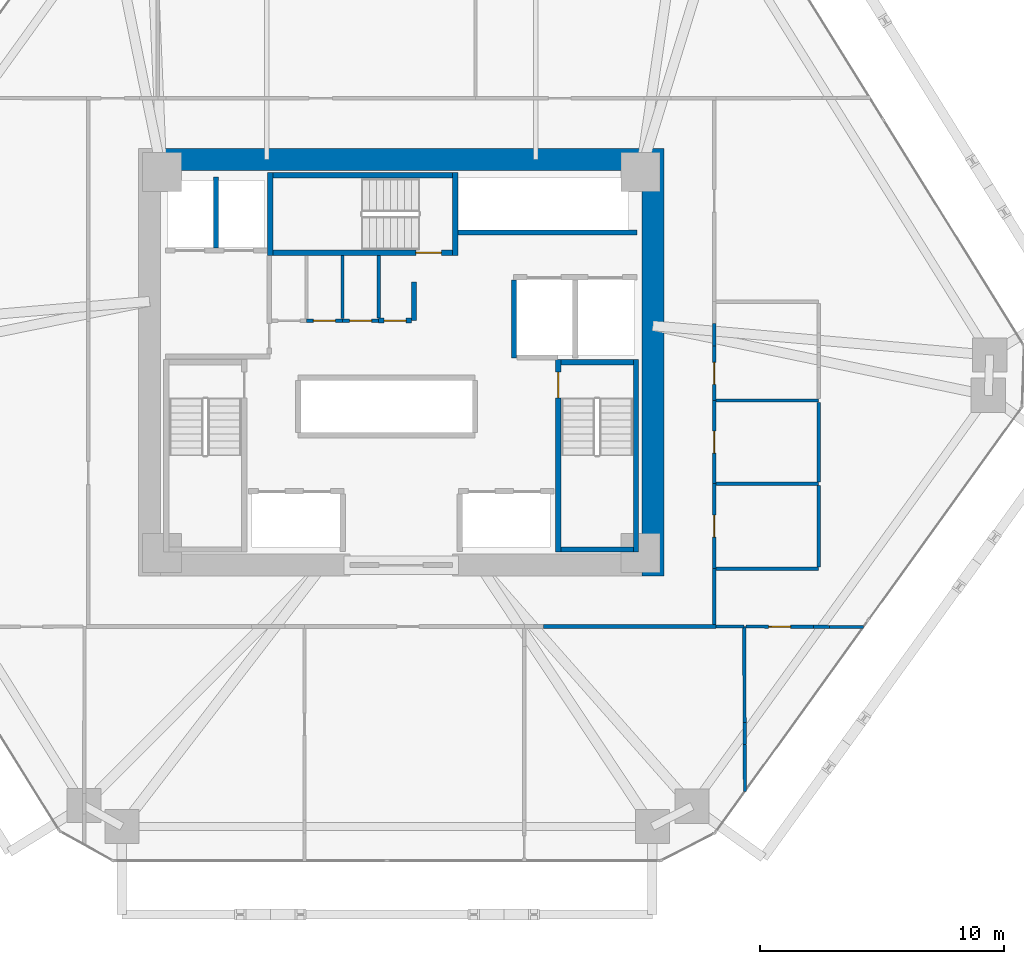
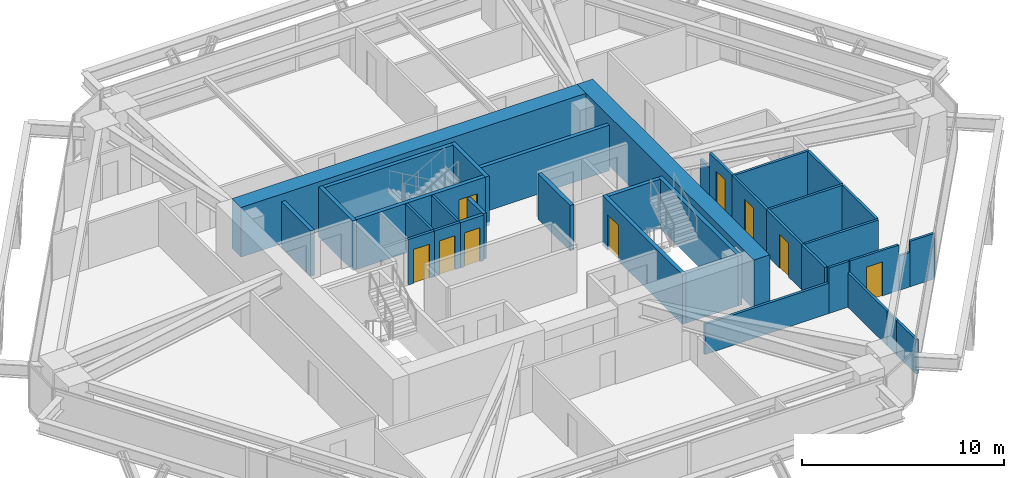
# One storey, part 12 of 15: 37 walls, 9 doors, 9 openings.
"""IFC4 building model written with IfcOpenShell, lengths in metres."""

import ifcopenshell
import ifcopenshell.guid

model = None  # the IFC model being written
_history = None  # IfcOwnerHistory: only IFC2X3 demands one
_inside = {}  # id of a spatial element -> (the spatial element, [elements in it])
_under = {}  # id of a project, library or spatial element -> (it, [spatial elements below it])
_declared = {}  # id of a project -> (the project, [libraries it declares])
_typed = {}  # id of a type object -> (the type object, [elements of that type])
_made_of = {}  # id of a material, layer set ... -> (it, [elements and type objects made of it])


def new_model(schema):
    """Start an empty IFC model of exactly this schema.

    Asked for "IFC4X3", IfcOpenShell would pick the latest addendum, in which some entities
    have other attributes; the version numbers below select the first issue.
    IFC2X3 requires an IfcOwnerHistory on every rooted entity: one is made here for all.
    """
    global model, _history
    if schema == "IFC4X3":
        model = ifcopenshell.file(schema_version=(4, 3, 0, 0))
    else:
        model = ifcopenshell.file(schema=schema)
    _inside.clear()
    _under.clear()
    _declared.clear()
    _typed.clear()
    _made_of.clear()
    _history = None
    if model.schema == "IFC2X3":
        org = make("IfcOrganization", Name="unknown")
        user = make(
            "IfcPersonAndOrganization",
            ThePerson=make("IfcPerson", FamilyName="unknown"),
            TheOrganization=org,
        )
        app = make(
            "IfcApplication",
            ApplicationDeveloper=org,
            Version="unknown",
            ApplicationFullName="unknown",
            ApplicationIdentifier="unknown",
        )
        _history = make(
            "IfcOwnerHistory",
            OwningUser=user,
            OwningApplication=app,
            ChangeAction="ADDED",
            CreationDate=0,
        )
    return model


def make(cls, **values):
    """One entity of the class cls with the attributes given. An attribute that is None is left unset."""
    return model.create_entity(
        cls, **{name: value for name, value in values.items() if value is not None}
    )


def rooted(cls, **values):
    """An entity with a GlobalId (a new one), such as an element, a storey or a relation."""
    return make(cls, GlobalId=ifcopenshell.guid.new(), OwnerHistory=_history, **values)


def si_unit(unit_type, name, prefix=None):
    """IfcSIUnit, for example si_unit("LENGTHUNIT", "METRE", prefix="MILLI")."""
    return make("IfcSIUnit", UnitType=unit_type, Prefix=prefix, Name=name)


def assignment(units):
    """IfcUnitAssignment: the units of a project."""
    return None if units is None else make("IfcUnitAssignment", Units=units)


def point(xyz):
    """IfcCartesianPoint."""
    return None if xyz is None else make("IfcCartesianPoint", Coordinates=xyz)


def direction(xyz):
    """IfcDirection."""
    return None if xyz is None else make("IfcDirection", DirectionRatios=xyz)


def frame(location, z_axis=None, x_axis=None):
    """IfcAxis2Placement3D, a coordinate frame: its origin and axes. An axis left out is left unset."""
    return make(
        "IfcAxis2Placement3D",
        Location=point(location),
        Axis=direction(z_axis),
        RefDirection=direction(x_axis),
    )


def frame_2d(location, x_axis=None):
    """IfcAxis2Placement2D, a coordinate frame in the plane: its origin and x axis."""
    return make(
        "IfcAxis2Placement2D", Location=point(location), RefDirection=direction(x_axis)
    )


def origin():
    """The frame at (0, 0, 0) with its axes left unset."""
    return frame((0.0, 0.0, 0.0))


def place(relative_to, where):
    """IfcLocalPlacement: puts the frame where relative to a parent placement (None: the world)."""
    return make(
        "IfcLocalPlacement", PlacementRelTo=relative_to, RelativePlacement=where
    )


def context(
    kind, dimensions, precision=None, world=None, true_north=None, identifier=None
):
    """IfcGeometricRepresentationContext, for example the 3D "Model" context."""
    return make(
        "IfcGeometricRepresentationContext",
        ContextIdentifier=identifier,
        ContextType=kind,
        CoordinateSpaceDimension=dimensions,
        Precision=precision,
        WorldCoordinateSystem=world,
        TrueNorth=true_north,
    )


def subcontext(parent, identifier, kind, view, scale=None):
    """IfcGeometricRepresentationSubContext, for example "Body" below "Model"."""
    return make(
        "IfcGeometricRepresentationSubContext",
        ContextIdentifier=identifier,
        ContextType=kind,
        ParentContext=parent,
        TargetScale=scale,
        TargetView=view,
    )


def project(units=None, contexts=None):
    """IfcProject with its units and contexts."""
    return rooted(
        "IfcProject",
        Name="project",
        RepresentationContexts=contexts,
        UnitsInContext=assignment(units),
    )


def spatial(cls, under=None, at=None, **own):
    """A site, building, storey or space (cls), placed at a placement, below another one or the project."""
    s = rooted(cls, ObjectPlacement=at, **own)
    if under is not None:
        _under.setdefault(under.id(), (under, []))[1].append(s)
    return s


def profile(cls, at=None, kind="AREA", **sizes):
    """A parametric profile (cls). Its sizes go by their IFC names, for example OverallWidth=200.0."""
    return make(cls, ProfileType=kind, Position=at, **sizes)


def rectangle(**sizes):
    """IfcRectangleProfileDef."""
    return profile("IfcRectangleProfileDef", **sizes)


def extrude(swept, where, along, depth):
    """IfcExtrudedAreaSolid: the profile swept, set in the frame where, extruded along a direction by depth."""
    return make(
        "IfcExtrudedAreaSolid",
        SweptArea=swept,
        Position=where,
        ExtrudedDirection=direction(along),
        Depth=depth,
    )


def shape(context_of_items, identifier, shape_type, items):
    """IfcShapeRepresentation: the items that make up one representation, for example the "Body"."""
    return make(
        "IfcShapeRepresentation",
        ContextOfItems=context_of_items,
        RepresentationIdentifier=identifier,
        RepresentationType=shape_type,
        Items=items,
    )


def source(mapping_origin, context_of_items, identifier, shape_type, items):
    """IfcRepresentationMap: a shape defined once, which mapped items show again and again."""
    return make(
        "IfcRepresentationMap",
        MappingOrigin=mapping_origin,
        MappedRepresentation=shape(context_of_items, identifier, shape_type, items),
    )


def transform(
    local_origin,
    x_axis=None,
    y_axis=None,
    z_axis=None,
    scale=None,
    scale2=None,
    scale3=None,
    uniform=True,
):
    """IfcCartesianTransformationOperator3D, or its non-uniform kind. x_axis, y_axis, z_axis: its Axis1, 2, 3."""
    if uniform:
        return make(
            "IfcCartesianTransformationOperator3D",
            Axis1=direction(x_axis),
            Axis2=direction(y_axis),
            LocalOrigin=point(local_origin),
            Scale=scale,
            Axis3=direction(z_axis),
        )
    return make(
        "IfcCartesianTransformationOperator3DnonUniform",
        Axis1=direction(x_axis),
        Axis2=direction(y_axis),
        LocalOrigin=point(local_origin),
        Scale=scale,
        Axis3=direction(z_axis),
        Scale2=scale2,
        Scale3=scale3,
    )


def mapped(mapping_source, mapping_target):
    """IfcMappedItem: shows the shape of a source again, moved by a transform."""
    return make(
        "IfcMappedItem", MappingSource=mapping_source, MappingTarget=mapping_target
    )


def material(Name=None, Category=None):
    """IfcMaterial."""
    return make("IfcMaterial", Name=Name, Category=Category)


def layer(
    of_material, thickness, ventilated=None, Name=None, Category=None, Priority=None
):
    """IfcMaterialLayer: one layer of a wall or slab, of a material (None: an air gap)."""
    return make(
        "IfcMaterialLayer",
        Material=of_material,
        LayerThickness=thickness,
        IsVentilated=ventilated,
        Name=Name,
        Category=Category,
        Priority=Priority,
    )


def layer_set(layers, Name=None):
    """IfcMaterialLayerSet."""
    return make("IfcMaterialLayerSet", MaterialLayers=layers, LayerSetName=Name)


def made_of(thing, what):
    """Note that an element or type object is made of a material, layer set ...; save() writes the relation."""
    if what is not None:
        _made_of.setdefault(what.id(), (what, []))[1].append(thing)
    return thing


def type_object(cls, material=None, **own):
    """A type object (cls), such as IfcWallType, which elements share."""
    return made_of(rooted(cls, **own), material)


def type_shapes(of_type, sources):
    """Give a type object the sources (RepresentationMaps) that its elements show as mapped items."""
    of_type.RepresentationMaps = sources


def element(
    cls,
    number,
    at=None,
    inside=None,
    cuts=None,
    type_object=None,
    material=None,
    context=None,
    identifier="Body",
    shape_type=None,
    held_by="IfcProductDefinitionShape",
    body=None,
    shapes=None,
    **own,
):
    """One element of the class cls, such as IfcWall. Its Tag is "e" and its number.

    at: its placement. inside: the storey or other place that contains it. cuts: it is an
    opening in that element (IfcRelVoidsElement). A single representation is given by context,
    identifier, shape_type and body (its items); several are given by shapes. held_by: the class
    of the entity that holds the representations. save() writes the other relations.
    """
    e = rooted(cls, Tag="e%d" % number, ObjectPlacement=at, **own)
    if body is not None:
        shapes = [shape(context, identifier, shape_type, body)]
    if shapes is not None:
        e.Representation = make(held_by, Representations=shapes)
    if inside is not None:
        _inside.setdefault(inside.id(), (inside, []))[1].append(e)
    if cuts is not None:
        rooted(
            "IfcRelVoidsElement", RelatingBuildingElement=cuts, RelatedOpeningElement=e
        )
    if type_object is not None:
        _typed.setdefault(type_object.id(), (type_object, []))[1].append(e)
    return made_of(e, material)


def fill(opening, filler):
    """IfcRelFillsElement: the door or window that sits in an opening."""
    return rooted(
        "IfcRelFillsElement",
        RelatingOpeningElement=opening,
        RelatedBuildingElement=filler,
    )


def aggregate(whole, parts):
    """IfcRelAggregates: a whole, such as a stair, and the parts it consists of."""
    return rooted("IfcRelAggregates", RelatingObject=whole, RelatedObjects=parts)


def save(model, path):
    """Write the relations noted so far, then the file.

    IfcRelAggregates (storeys below a building ...), IfcRelContainedInSpatialStructure (elements
    in a storey), IfcRelDefinesByType, IfcRelAssociatesMaterial and IfcRelDeclares: one each for
    every whole, place, type object, material and project.
    """
    for whole, parts in _under.values():
        aggregate(whole, parts)
    for where, things in _inside.values():
        rooted(
            "IfcRelContainedInSpatialStructure",
            RelatedElements=things,
            RelatingStructure=where,
        )
    for kind, things in _typed.values():
        rooted("IfcRelDefinesByType", RelatedObjects=things, RelatingType=kind)
    for what, things in _made_of.values():
        rooted("IfcRelAssociatesMaterial", RelatedObjects=things, RelatingMaterial=what)
    for by, libraries in _declared.values():
        rooted("IfcRelDeclares", RelatingContext=by, RelatedDefinitions=libraries)
    model.write(path)


model = new_model("IFC4")

# Units and contexts
model_context = context("Model", 3, precision=1e-05, world=origin(), true_north=direction((0.0, 1.0)))
body_context = subcontext(model_context, "Body", "Model", "MODEL_VIEW")
ifc_project = project(units=[si_unit("LENGTHUNIT", "METRE"), si_unit("AREAUNIT", "SQUARE_METRE"), si_unit("VOLUMEUNIT", "CUBIC_METRE"), si_unit("PLANEANGLEUNIT", "RADIAN"), si_unit("MASSUNIT", "GRAM", prefix="KILO")], contexts=[model_context])

# Site, building, storey
site_placement = place(None, origin())
site = spatial("IfcSite", under=ifc_project, at=site_placement, CompositionType="ELEMENT")
building_placement = place(site_placement, origin())
building = spatial("IfcBuilding", under=site, at=building_placement, Name="Durnholm Broadcast Tower", CompositionType="ELEMENT")
storey_placement = place(building_placement, frame((0.0, 0.0, 81.300048828125)))
storey = spatial("IfcBuildingStorey", under=building, at=storey_placement, Name="L21", CompositionType="ELEMENT", Elevation=81.300048828125)

# Walls
ifc_material_1 = material(Name="Concrete C70/85", Category="concrete")
ifc_layer_1 = layer(ifc_material_1, 0.89990234375)
ifc_layer_set_1 = layer_set([ifc_layer_1], Name="Concrete C70/85")
wall_type_1 = type_object("IfcWallType", Name="WALL-CW-900", PredefinedType="SHEAR", material=ifc_layer_set_1)
wall_1_placement = place(storey_placement, frame((10.300048828125, -8.75, 0.0), z_axis=(0.0, 0.0, 1.0), x_axis=(0.0, 1.0, 0.0)))
element("IfcWall", 1, at=wall_1_placement, inside=storey, type_object=wall_type_1, Name="L21 central core shear wall CW-EAST", PredefinedType="SHEAR", context=body_context, shape_type="SweptSolid", body=[
    extrude(rectangle(XDim=17.5, YDim=0.89990234375, at=frame_2d((8.75, 0.0))), origin(), (0.0, 0.0, 1.0), 3.0),
])
wall_2_placement = place(storey_placement, frame((-9.85009765625, 8.300048828125, 0.0), z_axis=(0.0, 0.0, 1.0), x_axis=(1.0, 0.0, 0.0)))
element("IfcWall", 2, at=wall_2_placement, inside=storey, type_object=wall_type_1, Name="L21 central core shear wall CW-N", PredefinedType="SHEAR", context=body_context, shape_type="SweptSolid", body=[
    extrude(rectangle(XDim=19.7001953125, YDim=0.89990234375, at=frame_2d((9.85009765625, 0.0))), origin(), (0.0, 0.0, 1.0), 3.0),
])
ifc_material_2 = material(Name="Fire-Rated Gypsum Shaftwall", Category="concrete")
ifc_layer_2 = layer(ifc_material_2, 0.199951171875)
ifc_layer_set_2 = layer_set([ifc_layer_2], Name="Fire-Rated Gypsum Shaftwall")
wall_type_2 = type_object("IfcWallType", Name="WALL-LOB-200", PredefinedType="SOLIDWALL", material=ifc_layer_set_2)
wall_3_placement = place(storey_placement, frame((0.52001953125, 3.300048828125, 0.0), z_axis=(0.0, 0.0, 1.0), x_axis=(0.0, -1.0, 0.0)))
element("IfcWall", 3, at=wall_3_placement, inside=storey, type_object=wall_type_2, Name="L21 Core Signal Sync Room corridor partition", PredefinedType="SOLIDWALL", context=body_context, shape_type="SweptSolid", body=[
    extrude(rectangle(XDim=1.590087890625, YDim=0.199951171875, at=frame_2d((0.794921875, 0.0))), origin(), (0.0, 0.0, 1.0), 2.744873046875),
])

# Wall, opening, door
wall_4_placement = place(storey_placement, frame((0.416015625, 1.7099609375, 0.0), z_axis=(0.0, 0.0, 1.0), x_axis=(-1.0, 0.0, 0.0)))
wall_4 = element("IfcWall", 4, at=wall_4_placement, inside=storey, type_object=wall_type_2, Name="L21 Core Signal Sync Room corridor partition", PredefinedType="SOLIDWALL", context=body_context, shape_type="SweptSolid", body=[
    extrude(rectangle(XDim=1.3359375, YDim=0.199951171875, at=frame_2d((0.66796875, 0.0))), origin(), (0.0, 0.0, 1.0), 2.744873046875),
])
opening_1_placement = place(wall_4_placement, frame((0.218017578125, 0.0, 0.0)))
opening_1 = element("IfcOpeningElement", 5, at=opening_1_placement, cuts=wall_4, Name="Opening DC-60L", PredefinedType="OPENING", context=body_context, shape_type="SweptSolid", body=[
    extrude(rectangle(XDim=0.89990234375, YDim=2.050048828125, at=frame_2d((0.449951171875, 1.02490234375))), frame((0.0, 0.10986328125, 0.0), z_axis=(0.0, -1.0, 0.0), x_axis=(1.0, 0.0, 0.0)), (0.0, 0.0, 1.0), 0.219970703125),
])
ifc_material_3 = material(Name="Fire-Rated Core Service Door", Category="steel")
ifc_layer_3 = layer(ifc_material_3, 0.050048828125)
ifc_layer_set_3 = layer_set([ifc_layer_3], Name="Fire-Rated Core Service Door")
door_type_1 = type_object("IfcDoorType", Name="DOOR-CORE-FD60-L", OperationType="NOTDEFINED", PredefinedType="DOOR", material=ifc_layer_set_3)
shared_shape_1 = source(origin(), body_context, "Body", "SweptSolid", [
    extrude(rectangle(XDim=0.89990234375, YDim=2.050048828125, at=frame_2d((0.449951171875, 1.02490234375))), frame((0.0, 0.02490234375, 0.0), z_axis=(0.0, -1.0, 0.0), x_axis=(1.0, 0.0, 0.0)), (0.0, 0.0, 1.0), 0.050048828125),
])
type_shapes(door_type_1, [shared_shape_1])
door_1_placement = place(opening_1_placement, origin())
door_1 = element("IfcDoor", 6, at=door_1_placement, inside=storey, type_object=door_type_1, Name="L21 Core Signal Sync Room entrance door", OperationType="SINGLE_SWING_LEFT", OverallHeight=2.050048828125, OverallWidth=0.89990234375, PredefinedType="DOOR", context=body_context, shape_type="MappedRepresentation", body=[
    mapped(shared_shape_1, transform((0.0, 0.0, 0.0), x_axis=(1.0, 0.0, 0.0), y_axis=(0.0, 1.0, 0.0), z_axis=(0.0, 0.0, 1.0), scale=1.0)),
])
fill(opening_1, door_1)

# Walls
ifc_material_4 = material(Name="Gypsum Metal Stud Partition", Category="concrete")
ifc_layer_4 = layer(ifc_material_4, 0.135009765625)
ifc_layer_set_4 = layer_set([ifc_layer_4], Name="Gypsum Metal Stud Partition")
wall_type_3 = type_object("IfcWallType", Name="WALL-PART-135", PredefinedType="PARTITIONING", material=ifc_layer_set_4)
wall_5_placement = place(storey_placement, frame((-2.39990234375, 4.375, 0.0), z_axis=(0.0, 0.0, 1.0), x_axis=(0.0, -1.0, 0.0)))
element("IfcWall", 7, at=wall_5_placement, inside=storey, type_object=wall_type_3, Name="L21 room dividing partition 2.3", PredefinedType="PARTITIONING", context=body_context, shape_type="SweptSolid", body=[
    extrude(rectangle(XDim=2.5859375, YDim=0.135009765625, at=frame_2d((1.29296875, 0.0))), origin(), (0.0, 0.0, 1.0), 2.744873046875),
])
wall_6_placement = place(storey_placement, frame((-0.919921875, 4.375, 0.0), z_axis=(0.0, 0.0, 1.0), x_axis=(0.0, -1.0, 0.0)))
element("IfcWall", 8, at=wall_6_placement, inside=storey, type_object=wall_type_3, Name="L21 room dividing partition 3.4", PredefinedType="PARTITIONING", context=body_context, shape_type="SweptSolid", body=[
    extrude(rectangle(XDim=2.56103515625, YDim=0.135009765625, at=frame_2d((1.280517578125, 0.0))), origin(), (0.0, 0.0, 1.0), 2.744873046875),
])
wall_7_placement = place(storey_placement, frame((14.0400390625, -10.81005859375, 0.0), z_axis=(0.0, 0.0, 1.0), x_axis=(0.004792973268, -0.999988513638, 0.0)))
element("IfcWall", 9, at=wall_7_placement, inside=storey, type_object=wall_type_3, Name="L21 room dividing partition 16.17", PredefinedType="PARTITIONING", context=body_context, shape_type="SweptSolid", body=[
    extrude(rectangle(XDim=3.922119140625, YDim=0.135009765625, at=frame_2d((1.9609375, 0.0))), origin(), (0.0, 0.0, 1.0), 2.079833984375),
])
wall_8_placement = place(storey_placement, frame((14.06298828125, -15.630859375, 0.0), z_axis=(0.0, 0.0, 1.0), x_axis=(0.004936648705, -0.999987814676, 0.0)))
element("IfcWall", 10, at=wall_8_placement, inside=storey, type_object=wall_type_3, Name="L21 room dividing partition 16.17", PredefinedType="PARTITIONING", context=body_context, shape_type="SweptSolid", body=[
    extrude(rectangle(XDim=1.9287109375, YDim=0.135009765625, at=frame_2d((0.96435546875, 0.0))), origin(), (0.0, 0.0, 1.0), 2.079833984375),
])
wall_9_placement = place(storey_placement, frame((14.058837890625, -14.732177734375, 0.0), z_axis=(0.0, 0.0, 1.0), x_axis=(0.004618260991, -0.999989335776, 0.0)))
element("IfcWall", 11, at=wall_9_placement, inside=storey, type_object=wall_type_3, Name="L21 room dividing partition 16.17", PredefinedType="PARTITIONING", context=body_context, shape_type="SweptSolid", body=[
    extrude(rectangle(XDim=0.898681640625, YDim=0.135009765625, at=frame_2d((0.44921875, 0.0))), origin(), (0.0, 0.0, 1.0), 2.079833984375),
])
wall_10_placement = place(storey_placement, frame((12.889892578125, -10.81005859375, 0.0), z_axis=(0.0, 0.0, 1.0), x_axis=(1.0, 0.0, 0.0)))
element("IfcWall", 12, at=wall_10_placement, inside=storey, type_object=wall_type_3, Name="L21 room dividing partition 16.19", PredefinedType="PARTITIONING", context=body_context, shape_type="SweptSolid", body=[
    extrude(rectangle(XDim=1.150146484375, YDim=0.135009765625, at=frame_2d((0.5751953125, 0.0))), origin(), (0.0, 0.0, 1.0), 2.744873046875),
])

# Wall, opening, door
wall_11_placement = place(storey_placement, frame((14.111572265625, -10.810791015625, 0.0), z_axis=(0.0, 0.0, 1.0), x_axis=(0.999989051327, -0.004679447265, 0.0)))
wall_11 = element("IfcWall", 13, at=wall_11_placement, inside=storey, type_object=wall_type_3, Name="L21 room dividing partition 17.19", PredefinedType="PARTITIONING", context=body_context, shape_type="SweptSolid", body=[
    extrude(rectangle(XDim=2.76513671875, YDim=0.135009765625, at=frame_2d((1.382568359375, 0.0))), origin(), (0.0, 0.0, 1.0), 2.744873046875),
])
opening_2_placement = place(wall_11_placement, frame((0.9326171875, 0.0, 0.0)))
opening_2 = element("IfcOpeningElement", 14, at=opening_2_placement, cuts=wall_11, Name="Opening DW-90L", PredefinedType="OPENING", context=body_context, shape_type="SweptSolid", body=[
    extrude(rectangle(XDim=0.89990234375, YDim=2.050048828125, at=frame_2d((0.449951171875, 1.02490234375))), frame((0.0, 0.07763671875, 0.0), z_axis=(0.0, -1.0, 0.0), x_axis=(1.0, 0.0, 0.0)), (0.0, 0.0, 1.0), 0.155029296875),
])
ifc_material_5 = material(Name="Laminate Restroom Door", Category="steel")
ifc_layer_5 = layer(ifc_material_5, 0.050048828125)
ifc_layer_set_5 = layer_set([ifc_layer_5], Name="Laminate Restroom Door")
door_type_2 = type_object("IfcDoorType", Name="DOOR-WC-900L", OperationType="NOTDEFINED", PredefinedType="DOOR", material=ifc_layer_set_5)
shared_shape_2 = source(origin(), body_context, "Body", "SweptSolid", [
    extrude(rectangle(XDim=0.89990234375, YDim=2.050048828125, at=frame_2d((0.449951171875, 1.02490234375))), frame((0.0, 0.02490234375, 0.0), z_axis=(0.0, -1.0, 0.0), x_axis=(1.0, 0.0, 0.0)), (0.0, 0.0, 1.0), 0.050048828125),
])
type_shapes(door_type_2, [shared_shape_2])
door_2_placement = place(opening_2_placement, origin())
door_2 = element("IfcDoor", 15, at=door_2_placement, inside=storey, type_object=door_type_2, Name="L21 Remote Feed Meeting Room connecting door", OperationType="SINGLE_SWING_LEFT", OverallHeight=2.050048828125, OverallWidth=0.89990234375, PredefinedType="DOOR", context=body_context, shape_type="MappedRepresentation", body=[
    mapped(shared_shape_2, transform((0.0, 0.0, 0.0), x_axis=(1.0, 0.0, 0.0), y_axis=(0.0, 1.0, 0.0), z_axis=(0.0, 0.0, 1.0), scale=1.0)),
])
fill(opening_2, door_2)

# Walls
wall_12_placement = place(storey_placement, frame((17.526611328125, -10.826904296875, 0.0), z_axis=(0.0, 0.0, 1.0), x_axis=(0.999988840164, -0.004724356725, 0.0)))
element("IfcWall", 16, at=wall_12_placement, inside=storey, type_object=wall_type_3, Name="L21 room dividing partition 17.19", PredefinedType="PARTITIONING", context=body_context, shape_type="SweptSolid", body=[
    extrude(rectangle(XDim=1.395263671875, YDim=0.135009765625, at=frame_2d((0.69775390625, 0.0))), origin(), (0.0, 0.0, 1.0), 2.744873046875),
])
wall_13_placement = place(storey_placement, frame((16.876708984375, -10.82373046875, 0.0), z_axis=(0.0, 0.0, 1.0), x_axis=(0.999988075702, -0.004883487973, 0.0)))
element("IfcWall", 17, at=wall_13_placement, inside=storey, type_object=wall_type_3, Name="L21 room dividing partition 17.19", PredefinedType="PARTITIONING", context=body_context, shape_type="SweptSolid", body=[
    extrude(rectangle(XDim=0.64990234375, YDim=0.135009765625, at=frame_2d((0.324951171875, 0.0))), origin(), (0.0, 0.0, 1.0), 2.079833984375),
])

# Wall, opening, door
ifc_material_6 = material(Name="Acoustic Gypsum Stud Partition", Category="concrete")
ifc_layer_6 = layer(ifc_material_6, 0.14990234375)
ifc_layer_set_6 = layer_set([ifc_layer_6], Name="Acoustic Gypsum Stud Partition")
wall_type_4 = type_object("IfcWallType", Name="WALL-PART-150", PredefinedType="PARTITIONING", material=ifc_layer_set_6)
wall_14_placement = place(storey_placement, frame((-2.39990234375, 1.7099609375, 0.0), z_axis=(0.0, 0.0, 1.0), x_axis=(-1.0, 0.0, 0.0)))
wall_14 = element("IfcWall", 18, at=wall_14_placement, inside=storey, type_object=wall_type_4, Name="L21 Core Linen Supply Closet corridor partition", PredefinedType="PARTITIONING", context=body_context, shape_type="SweptSolid", body=[
    extrude(rectangle(XDim=1.47998046875, YDim=0.14990234375, at=frame_2d((0.739990234375, 0.0))), origin(), (0.0, 0.0, 1.0), 2.744873046875),
])
opening_3_placement = place(wall_14_placement, frame((0.2900390625, 0.0, 0.0)))
opening_3 = element("IfcOpeningElement", 19, at=opening_3_placement, cuts=wall_14, Name="Opening DC-60L", PredefinedType="OPENING", context=body_context, shape_type="SweptSolid", body=[
    extrude(rectangle(XDim=0.89990234375, YDim=2.050048828125, at=frame_2d((0.449951171875, 1.02490234375))), frame((0.0, 0.0849609375, 0.0), z_axis=(0.0, -1.0, 0.0), x_axis=(1.0, 0.0, 0.0)), (0.0, 0.0, 1.0), 0.169921875),
])
door_3_placement = place(opening_3_placement, origin())
door_3 = element("IfcDoor", 20, at=door_3_placement, inside=storey, type_object=door_type_1, Name="L21 Core Linen Supply Closet entrance door", OperationType="SINGLE_SWING_LEFT", OverallHeight=2.050048828125, OverallWidth=0.89990234375, PredefinedType="DOOR", context=body_context, shape_type="MappedRepresentation", body=[
    mapped(shared_shape_1, transform((0.0, 0.0, 0.0), x_axis=(1.0, 0.0, 0.0), y_axis=(0.0, 1.0, 0.0), z_axis=(0.0, 0.0, 1.0), scale=1.0)),
])
fill(opening_3, door_3)

wall_15_placement = place(storey_placement, frame((-0.919921875, 1.7099609375, 0.0), z_axis=(0.0, 0.0, 1.0), x_axis=(-1.0, 0.0, 0.0)))
wall_15 = element("IfcWall", 21, at=wall_15_placement, inside=storey, type_object=wall_type_4, Name="L21 Core Safety Gear Store corridor partition", PredefinedType="PARTITIONING", context=body_context, shape_type="SweptSolid", body=[
    extrude(rectangle(XDim=1.47998046875, YDim=0.14990234375, at=frame_2d((0.739990234375, 0.0))), origin(), (0.0, 0.0, 1.0), 2.744873046875),
])
opening_4_placement = place(wall_15_placement, frame((0.2900390625, 0.0, 0.0)))
opening_4 = element("IfcOpeningElement", 22, at=opening_4_placement, cuts=wall_15, Name="Opening DC-60R", PredefinedType="OPENING", context=body_context, shape_type="SweptSolid", body=[
    extrude(rectangle(XDim=0.89990234375, YDim=2.050048828125, at=frame_2d((0.449951171875, 1.02490234375))), frame((0.0, 0.0849609375, 0.0), z_axis=(0.0, -1.0, 0.0), x_axis=(1.0, 0.0, 0.0)), (0.0, 0.0, 1.0), 0.169921875),
])
ifc_layer_7 = layer(ifc_material_3, 0.050048828125)
ifc_layer_set_7 = layer_set([ifc_layer_7], Name="Fire-Rated Core Service Door")
door_type_3 = type_object("IfcDoorType", Name="DOOR-CORE-FD60-R", OperationType="NOTDEFINED", PredefinedType="DOOR", material=ifc_layer_set_7)
shared_shape_3 = source(origin(), body_context, "Body", "SweptSolid", [
    extrude(rectangle(XDim=0.89990234375, YDim=2.050048828125, at=frame_2d((0.449951171875, 1.02490234375))), frame((0.0, 0.02490234375, 0.0), z_axis=(0.0, -1.0, 0.0), x_axis=(1.0, 0.0, 0.0)), (0.0, 0.0, 1.0), 0.050048828125),
])
type_shapes(door_type_3, [shared_shape_3])
door_4_placement = place(opening_4_placement, origin())
door_4 = element("IfcDoor", 23, at=door_4_placement, inside=storey, type_object=door_type_3, Name="L21 Core Safety Gear Store entrance door", OperationType="SINGLE_SWING_RIGHT", OverallHeight=2.050048828125, OverallWidth=0.89990234375, PredefinedType="DOOR", context=body_context, shape_type="MappedRepresentation", body=[
    mapped(shared_shape_3, transform((0.0, 0.0, 0.0), x_axis=(1.0, 0.0, 0.0), y_axis=(0.0, 1.0, 0.0), z_axis=(0.0, 0.0, 1.0), scale=1.0)),
])
fill(opening_4, door_4)

# Walls
wall_16_placement = place(storey_placement, frame((5.8173828125, -10.81005859375, 0.0), z_axis=(0.0, 0.0, 1.0), x_axis=(1.0, 0.0, 0.0)))
element("IfcWall", 24, at=wall_16_placement, inside=storey, type_object=wall_type_4, Name="L21 Open Plan Broadcast Workspace 4 corridor partition", PredefinedType="PARTITIONING", context=body_context, shape_type="SweptSolid", body=[
    extrude(rectangle(XDim=7.072509765625, YDim=0.14990234375, at=frame_2d((3.5361328125, 0.0))), origin(), (0.0, 0.0, 1.0), 1.830078125),
])
wall_17_placement = place(storey_placement, frame((12.81005859375, -10.73095703125, 0.0), z_axis=(0.0, 0.0, 1.0), x_axis=(0.0, 1.0, 0.0)))
element("IfcWall", 25, at=wall_17_placement, inside=storey, type_object=wall_type_4, Name="L21 Press Lounge corridor partition", PredefinedType="PARTITIONING", context=body_context, shape_type="SweptSolid", body=[
    extrude(rectangle(XDim=2.291015625, YDim=0.14990234375, at=frame_2d((1.1455078125, 0.0))), origin(), (0.0, 0.0, 1.0), 2.744873046875),
])
ifc_material_7 = material(Name="Concrete Blockwork C30/37", Category="masonry")
ifc_layer_8 = layer(ifc_material_7, 0.219970703125)
ifc_layer_set_8 = layer_set([ifc_layer_8], Name="Concrete Blockwork C30/37")
wall_type_5 = type_object("IfcWallType", Name="WALL-SHAFT-220", PredefinedType="SOLIDWALL", material=ifc_layer_set_8)
wall_18_placement = place(storey_placement, frame((-7.580078125, 4.694091796875, 0.0), z_axis=(0.0, 0.0, 1.0), x_axis=(0.0, 1.0, 0.0)))
element("IfcWall", 26, at=wall_18_placement, inside=storey, type_object=wall_type_5, Name="L21 FSAE shaft divider wall", PredefinedType="SOLIDWALL", context=body_context, shape_type="SweptSolid", body=[
    extrude(rectangle(XDim=2.906005859375, YDim=0.219970703125, at=frame_2d((1.453125, 0.0))), origin(), (0.0, 0.0, 1.0), 2.744873046875),
])
wall_19_placement = place(storey_placement, frame((4.6201171875, 0.179931640625, 0.0), z_axis=(0.0, 0.0, 1.0), x_axis=(0.0, 1.0, 0.0)))
element("IfcWall", 27, at=wall_19_placement, inside=storey, type_object=wall_type_5, Name="L21 freight service lift SVL-2 west wall", PredefinedType="SOLIDWALL", context=body_context, shape_type="SweptSolid", body=[
    extrude(rectangle(XDim=3.18603515625, YDim=0.219970703125, at=frame_2d((1.593017578125, 0.0))), origin(), (0.0, 0.0, 1.0), 2.744873046875),
])
wall_20_placement = place(storey_placement, frame((2.324951171875, 5.320068359375, 0.0), z_axis=(0.0, 0.0, 1.0), x_axis=(1.0, 0.0, 0.0)))
element("IfcWall", 28, at=wall_20_placement, inside=storey, type_object=wall_type_5, Name="L21 high-rise bank P3 south front wall", PredefinedType="SOLIDWALL", context=body_context, shape_type="SweptSolid", body=[
    extrude(rectangle(XDim=7.324951171875, YDim=0.219970703125, at=frame_2d((3.66259765625, 0.0))), origin(), (0.0, 0.0, 1.0), 2.744873046875),
])
ifc_material_8 = material(Name="Concrete C50/60", Category="concrete")
ifc_layer_9 = layer(ifc_material_8, 0.219970703125)
ifc_layer_set_9 = layer_set([ifc_layer_9], Name="Concrete C50/60")
wall_type_6 = type_object("IfcWallType", Name="WALL-SW-220", PredefinedType="SHEAR", material=ifc_layer_set_9)
wall_21_placement = place(storey_placement, frame((9.610107421875, -7.77001953125, -0.239990234375), z_axis=(0.0, 0.0, 1.0), x_axis=(0.0, 1.0, 0.0)))
element("IfcWall", 29, at=wall_21_placement, inside=storey, type_object=wall_type_6, Name="L21 stair ST-2 structural shaft wall E", PredefinedType="SHEAR", context=body_context, shape_type="SweptSolid", body=[
    extrude(rectangle(XDim=7.89013671875, YDim=0.219970703125, at=frame_2d((3.945068359375, 0.0))), origin(), (0.0, 0.0, 1.0), 3.0),
])

# Wall, opening, door
wall_22_placement = place(storey_placement, frame((6.429931640625, 0.1201171875, -0.239990234375), z_axis=(0.0, 0.0, 1.0), x_axis=(0.0, -1.0, 0.0)))
wall_22 = element("IfcWall", 30, at=wall_22_placement, inside=storey, type_object=wall_type_6, Name="L21 stair ST-2 structural shaft wall W", PredefinedType="SHEAR", context=body_context, shape_type="SweptSolid", body=[
    extrude(rectangle(XDim=7.89013671875, YDim=0.219970703125, at=frame_2d((3.945068359375, 0.0))), origin(), (0.0, 0.0, 1.0), 3.0),
])
opening_5_placement = place(wall_22_placement, frame((0.52001953125, 0.0, 0.0)))
opening_5 = element("IfcOpeningElement", 31, at=opening_5_placement, cuts=wall_22, Name="Opening DS-90R", PredefinedType="OPENING", context=body_context, shape_type="SweptSolid", body=[
    extrude(rectangle(XDim=1.050048828125, YDim=2.14990234375, at=frame_2d((0.52490234375, 1.074951171875))), frame((0.0, 0.1201171875, 0.0), z_axis=(0.0, -1.0, 0.0), x_axis=(1.0, 0.0, 0.0)), (0.0, 0.0, 1.0), 0.239990234375),
])
ifc_material_9 = material(Name="Fire-Rated Steel Door", Category="steel")
ifc_layer_10 = layer(ifc_material_9, 0.050048828125)
ifc_layer_set_10 = layer_set([ifc_layer_10], Name="Fire-Rated Steel Door")
door_type_4 = type_object("IfcDoorType", Name="DOOR-ST-FD90-R", OperationType="NOTDEFINED", PredefinedType="DOOR", material=ifc_layer_set_10)
shared_shape_4 = source(origin(), body_context, "Body", "SweptSolid", [
    extrude(rectangle(XDim=1.050048828125, YDim=2.14990234375, at=frame_2d((0.52490234375, 1.074951171875))), frame((0.0, 0.02490234375, 0.0), z_axis=(0.0, -1.0, 0.0), x_axis=(1.0, 0.0, 0.0)), (0.0, 0.0, 1.0), 0.050048828125),
])
type_shapes(door_type_4, [shared_shape_4])
door_5_placement = place(opening_5_placement, origin())
door_5 = element("IfcDoor", 32, at=door_5_placement, inside=storey, type_object=door_type_4, Name="L21 exit stair ST-2 fire door", OperationType="SINGLE_SWING_RIGHT", OverallHeight=2.14990234375, OverallWidth=1.050048828125, PredefinedType="DOOR", context=body_context, shape_type="MappedRepresentation", body=[
    mapped(shared_shape_4, transform((0.0, 0.0, 0.0), x_axis=(1.0, 0.0, 0.0), y_axis=(0.0, 1.0, 0.0), z_axis=(0.0, 0.0, 1.0), scale=1.0)),
])
fill(opening_5, door_5)

# Walls
for number, where, z_axis, x_axis, name in (
    (33, (6.5400390625, -7.659912109375, -0.239990234375), (0.0, 0.0, 1.0), (1.0, 0.0, 0.0), "L21 stair ST-2 structural shaft wall S"),
    (34, (9.5, 0.010009765625, -0.239990234375), (0.0, 0.0, 1.0), (-1.0, 0.0, 0.0), "L21 stair ST-2 structural shaft wall N"),
):
    element("IfcWall", number, at=place(storey_placement, frame(where, z_axis=z_axis, x_axis=x_axis)), inside=storey, type_object=wall_type_6, Name=name, PredefinedType="SHEAR", context=body_context, shape_type="SweptSolid", body=[
        extrude(rectangle(XDim=2.9599609375, YDim=0.219970703125, at=frame_2d((1.47998046875, 0.0))), origin(), (0.0, 0.0, 1.0), 3.0),
    ])
for number, where, z_axis, x_axis, name in (
    (35, (2.2099609375, 4.3798828125, -0.239990234375), (0.0, 0.0, 1.0), (0.0, 1.0, 0.0), "L21 stair ST-3 structural shaft wall E"),
    (36, (-5.360107421875, 7.780029296875, -0.239990234375), (0.0, 0.0, 1.0), (0.0, -1.0, 0.0), "L21 stair ST-3 structural shaft wall W"),
):
    element("IfcWall", number, at=place(storey_placement, frame(where, z_axis=z_axis, x_axis=x_axis)), inside=storey, type_object=wall_type_6, Name=name, PredefinedType="SHEAR", context=body_context, shape_type="SweptSolid", body=[
        extrude(rectangle(XDim=3.400146484375, YDim=0.219970703125, at=frame_2d((1.7001953125, 0.0))), origin(), (0.0, 0.0, 1.0), 3.0),
    ])

# Wall, opening, door
wall_23_placement = place(storey_placement, frame((-5.25, 4.489990234375, -0.239990234375), z_axis=(0.0, 0.0, 1.0), x_axis=(1.0, 0.0, 0.0)))
wall_23 = element("IfcWall", 37, at=wall_23_placement, inside=storey, type_object=wall_type_6, Name="L21 stair ST-3 structural shaft wall S", PredefinedType="SHEAR", context=body_context, shape_type="SweptSolid", body=[
    extrude(rectangle(XDim=7.35009765625, YDim=0.219970703125, at=frame_2d((3.675048828125, 0.0))), origin(), (0.0, 0.0, 1.0), 3.0),
])
opening_6_placement = place(wall_23_placement, frame((5.85009765625, 0.0, 0.0)))
opening_6 = element("IfcOpeningElement", 38, at=opening_6_placement, cuts=wall_23, Name="Opening DS-90L", PredefinedType="OPENING", context=body_context, shape_type="SweptSolid", body=[
    extrude(rectangle(XDim=1.050048828125, YDim=2.14990234375, at=frame_2d((0.52490234375, 1.074951171875))), frame((0.0, 0.1201171875, 0.0), z_axis=(0.0, -1.0, 0.0), x_axis=(1.0, 0.0, 0.0)), (0.0, 0.0, 1.0), 0.239990234375),
])
ifc_layer_11 = layer(ifc_material_9, 0.050048828125)
ifc_layer_set_11 = layer_set([ifc_layer_11], Name="Fire-Rated Steel Door")
door_type_5 = type_object("IfcDoorType", Name="DOOR-ST-FD90-L", OperationType="NOTDEFINED", PredefinedType="DOOR", material=ifc_layer_set_11)
shared_shape_5 = source(origin(), body_context, "Body", "SweptSolid", [
    extrude(rectangle(XDim=1.050048828125, YDim=2.14990234375, at=frame_2d((0.52490234375, 1.074951171875))), frame((0.0, 0.02490234375, 0.0), z_axis=(0.0, -1.0, 0.0), x_axis=(1.0, 0.0, 0.0)), (0.0, 0.0, 1.0), 0.050048828125),
])
type_shapes(door_type_5, [shared_shape_5])
door_6_placement = place(opening_6_placement, origin())
door_6 = element("IfcDoor", 39, at=door_6_placement, inside=storey, type_object=door_type_5, Name="L21 exit stair ST-3 fire door", OperationType="SINGLE_SWING_LEFT", OverallHeight=2.14990234375, OverallWidth=1.050048828125, PredefinedType="DOOR", context=body_context, shape_type="MappedRepresentation", body=[
    mapped(shared_shape_5, transform((0.0, 0.0, 0.0), x_axis=(1.0, 0.0, 0.0), y_axis=(0.0, 1.0, 0.0), z_axis=(0.0, 0.0, 1.0), scale=1.0)),
])
fill(opening_6, door_6)

# Wall
wall_24_placement = place(storey_placement, frame((2.10009765625, 7.669921875, -0.239990234375), z_axis=(0.0, 0.0, 1.0), x_axis=(-1.0, 0.0, 0.0)))
element("IfcWall", 40, at=wall_24_placement, inside=storey, type_object=wall_type_6, Name="L21 stair ST-3 structural shaft wall N", PredefinedType="SHEAR", context=body_context, shape_type="SweptSolid", body=[
    extrude(rectangle(XDim=7.35009765625, YDim=0.219970703125, at=frame_2d((3.675048828125, 0.0))), origin(), (0.0, 0.0, 1.0), 3.0),
])

# Wall, opening, door
ifc_material_10 = material(Name="Moisture-Resistant Tile Partition", Category="concrete")
ifc_layer_12 = layer(ifc_material_10, 0.139892578125)
ifc_layer_set_12 = layer_set([ifc_layer_12], Name="Moisture-Resistant Tile Partition")
wall_type_7 = type_object("IfcWallType", Name="WALL-WC-140", PredefinedType="PARTITIONING", material=ifc_layer_set_12)
wall_25_placement = place(storey_placement, frame((12.81005859375, -8.43994140625, 0.0), z_axis=(0.0, 0.0, 1.0), x_axis=(0.0, 1.0, 0.0)))
wall_25 = element("IfcWall", 41, at=wall_25_placement, inside=storey, type_object=wall_type_7, Name="L21 Men's Restroom corridor partition", PredefinedType="PARTITIONING", context=body_context, shape_type="SweptSolid", body=[
    extrude(rectangle(XDim=3.47998046875, YDim=0.139892578125, at=frame_2d((1.739990234375, 0.0))), origin(), (0.0, 0.0, 1.0), 2.744873046875),
])
opening_7_placement = place(wall_25_placement, frame((1.2900390625, 0.0, 0.0)))
opening_7 = element("IfcOpeningElement", 42, at=opening_7_placement, cuts=wall_25, Name="Opening DW-90R", PredefinedType="OPENING", context=body_context, shape_type="SweptSolid", body=[
    extrude(rectangle(XDim=0.89990234375, YDim=2.050048828125, at=frame_2d((0.449951171875, 1.02490234375))), frame((0.0, 0.080078125, 0.0), z_axis=(0.0, -1.0, 0.0), x_axis=(1.0, 0.0, 0.0)), (0.0, 0.0, 1.0), 0.159912109375),
])
ifc_layer_13 = layer(ifc_material_5, 0.050048828125)
ifc_layer_set_13 = layer_set([ifc_layer_13], Name="Laminate Restroom Door")
door_type_6 = type_object("IfcDoorType", Name="DOOR-WC-900R", OperationType="NOTDEFINED", PredefinedType="DOOR", material=ifc_layer_set_13)
shared_shape_6 = source(origin(), body_context, "Body", "SweptSolid", [
    extrude(rectangle(XDim=0.89990234375, YDim=2.050048828125, at=frame_2d((0.449951171875, 1.02490234375))), frame((0.0, 0.02490234375, 0.0), z_axis=(0.0, -1.0, 0.0), x_axis=(1.0, 0.0, 0.0)), (0.0, 0.0, 1.0), 0.050048828125),
])
type_shapes(door_type_6, [shared_shape_6])
door_7_placement = place(opening_7_placement, origin())
door_7 = element("IfcDoor", 43, at=door_7_placement, inside=storey, type_object=door_type_6, Name="L21 Men's Restroom entrance door", OperationType="SINGLE_SWING_RIGHT", OverallHeight=2.050048828125, OverallWidth=0.89990234375, PredefinedType="DOOR", context=body_context, shape_type="MappedRepresentation", body=[
    mapped(shared_shape_6, transform((0.0, 0.0, 0.0), x_axis=(1.0, 0.0, 0.0), y_axis=(0.0, 1.0, 0.0), z_axis=(0.0, 0.0, 1.0), scale=1.0)),
])
fill(opening_7, door_7)

wall_26_placement = place(storey_placement, frame((12.81005859375, -4.9599609375, 0.0), z_axis=(0.0, 0.0, 1.0), x_axis=(0.0, 1.0, 0.0)))
wall_26 = element("IfcWall", 44, at=wall_26_placement, inside=storey, type_object=wall_type_7, Name="L21 Women's Restroom corridor partition", PredefinedType="PARTITIONING", context=body_context, shape_type="SweptSolid", body=[
    extrude(rectangle(XDim=3.39990234375, YDim=0.139892578125, at=frame_2d((1.699951171875, 0.0))), origin(), (0.0, 0.0, 1.0), 2.744873046875),
])
opening_8_placement = place(wall_26_placement, frame((1.25, 0.0, 0.0)))
opening_8 = element("IfcOpeningElement", 45, at=opening_8_placement, cuts=wall_26, Name="Opening DW-90L", PredefinedType="OPENING", context=body_context, shape_type="SweptSolid", body=[
    extrude(rectangle(XDim=0.89990234375, YDim=2.050048828125, at=frame_2d((0.449951171875, 1.02490234375))), frame((0.0, 0.080078125, 0.0), z_axis=(0.0, -1.0, 0.0), x_axis=(1.0, 0.0, 0.0)), (0.0, 0.0, 1.0), 0.159912109375),
])
door_8_placement = place(opening_8_placement, origin())
door_8 = element("IfcDoor", 46, at=door_8_placement, inside=storey, type_object=door_type_2, Name="L21 Women's Restroom entrance door", OperationType="SINGLE_SWING_LEFT", OverallHeight=2.050048828125, OverallWidth=0.89990234375, PredefinedType="DOOR", context=body_context, shape_type="MappedRepresentation", body=[
    mapped(shared_shape_2, transform((0.0, 0.0, 0.0), x_axis=(1.0, 0.0, 0.0), y_axis=(0.0, 1.0, 0.0), z_axis=(0.0, 0.0, 1.0), scale=1.0)),
])
fill(opening_8, door_8)

wall_27_placement = place(storey_placement, frame((12.81005859375, -1.56005859375, 0.0), z_axis=(0.0, 0.0, 1.0), x_axis=(0.0, 1.0, 0.0)))
wall_27 = element("IfcWall", 47, at=wall_27_placement, inside=storey, type_object=wall_type_7, Name="L21 Accessible Restroom corridor partition", PredefinedType="PARTITIONING", context=body_context, shape_type="SweptSolid", body=[
    extrude(rectangle(XDim=2.231201171875, YDim=0.139892578125, at=frame_2d((1.11572265625, 0.0))), origin(), (0.0, 0.0, 1.0), 2.744873046875),
])
opening_9_placement = place(wall_27_placement, frame((0.66552734375, 0.0, 0.0)))
opening_9 = element("IfcOpeningElement", 48, at=opening_9_placement, cuts=wall_27, Name="Opening DW-90R", PredefinedType="OPENING", context=body_context, shape_type="SweptSolid", body=[
    extrude(rectangle(XDim=0.89990234375, YDim=2.050048828125, at=frame_2d((0.449951171875, 1.02490234375))), frame((0.0, 0.080078125, 0.0), z_axis=(0.0, -1.0, 0.0), x_axis=(1.0, 0.0, 0.0)), (0.0, 0.0, 1.0), 0.159912109375),
])
door_9_placement = place(opening_9_placement, origin())
door_9 = element("IfcDoor", 49, at=door_9_placement, inside=storey, type_object=door_type_6, Name="L21 Accessible Restroom entrance door", OperationType="SINGLE_SWING_RIGHT", OverallHeight=2.050048828125, OverallWidth=0.89990234375, PredefinedType="DOOR", context=body_context, shape_type="MappedRepresentation", body=[
    mapped(shared_shape_6, transform((0.0, 0.0, 0.0), x_axis=(1.0, 0.0, 0.0), y_axis=(0.0, 1.0, 0.0), z_axis=(0.0, 0.0, 1.0), scale=1.0)),
])
fill(opening_9, door_9)

# Walls
wall_28_placement = place(storey_placement, frame((12.81005859375, 0.671142578125, 0.0), z_axis=(0.0, 0.0, 1.0), x_axis=(0.0, 1.0, 0.0)))
element("IfcWall", 50, at=wall_28_placement, inside=storey, type_object=wall_type_7, Name="L21 Accessible Restroom corridor partition", PredefinedType="PARTITIONING", context=body_context, shape_type="SweptSolid", body=[
    extrude(rectangle(XDim=0.91357421875, YDim=0.139892578125, at=frame_2d((0.456787109375, 0.0))), origin(), (0.0, 0.0, 1.0), 1.830078125),
])
wall_29_placement = place(storey_placement, frame((12.884033203125, -4.9599609375, 0.0), z_axis=(0.0, 0.0, 1.0), x_axis=(1.0, 0.0, 0.0)))
element("IfcWall", 51, at=wall_29_placement, inside=storey, type_object=wall_type_7, Name="L21 room dividing partition 5.6", PredefinedType="PARTITIONING", context=body_context, shape_type="SweptSolid", body=[
    extrude(rectangle(XDim=4.2060546875, YDim=0.139892578125, at=frame_2d((2.10302734375, 0.0))), origin(), (0.0, 0.0, 1.0), 2.744873046875),
])
wall_30_placement = place(storey_placement, frame((17.090087890625, -8.43994140625, 0.0), z_axis=(0.0, 0.0, 1.0), x_axis=(-1.0, 0.0, 0.0)))
element("IfcWall", 52, at=wall_30_placement, inside=storey, type_object=wall_type_7, Name="L21 room dividing partition 5.19", PredefinedType="PARTITIONING", context=body_context, shape_type="SweptSolid", body=[
    extrude(rectangle(XDim=4.201171875, YDim=0.139892578125, at=frame_2d((2.1005859375, 0.0))), origin(), (0.0, 0.0, 1.0), 2.744873046875),
])
wall_31_placement = place(storey_placement, frame((17.090087890625, -5.033935546875, 0.0), z_axis=(0.0, 0.0, 1.0), x_axis=(0.0, -1.0, 0.0)))
element("IfcWall", 53, at=wall_31_placement, inside=storey, type_object=wall_type_7, Name="L21 room dividing partition 5.19", PredefinedType="PARTITIONING", context=body_context, shape_type="SweptSolid", body=[
    extrude(rectangle(XDim=3.33203125, YDim=0.139892578125, at=frame_2d((1.666015625, 0.0))), origin(), (0.0, 0.0, 1.0), 2.744873046875),
])
wall_32_placement = place(storey_placement, frame((12.884033203125, -1.56005859375, 0.0), z_axis=(0.0, 0.0, 1.0), x_axis=(1.0, 0.0, 0.0)))
element("IfcWall", 54, at=wall_32_placement, inside=storey, type_object=wall_type_7, Name="L21 room dividing partition 6.7", PredefinedType="PARTITIONING", context=body_context, shape_type="SweptSolid", body=[
    extrude(rectangle(XDim=4.2060546875, YDim=0.139892578125, at=frame_2d((2.10302734375, 0.0))), origin(), (0.0, 0.0, 1.0), 2.744873046875),
])
wall_33_placement = place(storey_placement, frame((17.090087890625, -1.634033203125, 0.0), z_axis=(0.0, 0.0, 1.0), x_axis=(0.0, -1.0, 0.0)))
element("IfcWall", 55, at=wall_33_placement, inside=storey, type_object=wall_type_7, Name="L21 room dividing partition 6.19", PredefinedType="PARTITIONING", context=body_context, shape_type="SweptSolid", body=[
    extrude(rectangle(XDim=3.251953125, YDim=0.139892578125, at=frame_2d((1.6259765625, 0.0))), origin(), (0.0, 0.0, 1.0), 2.744873046875),
])

save(model, "model.ifc")
